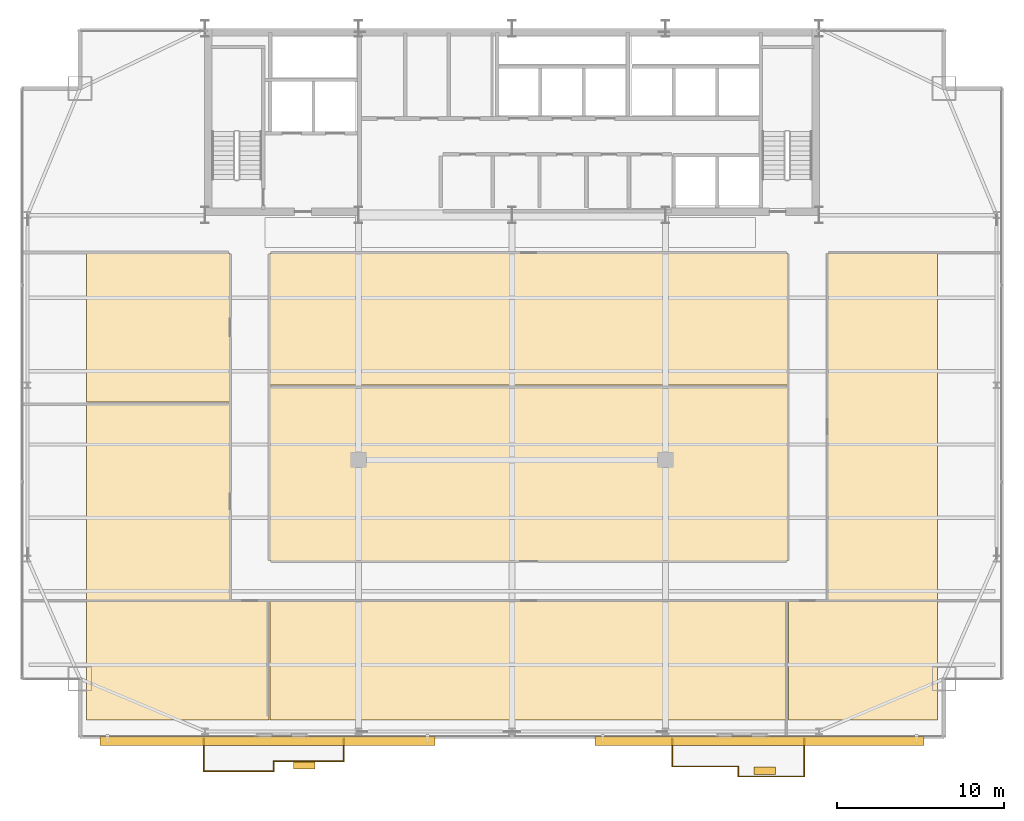
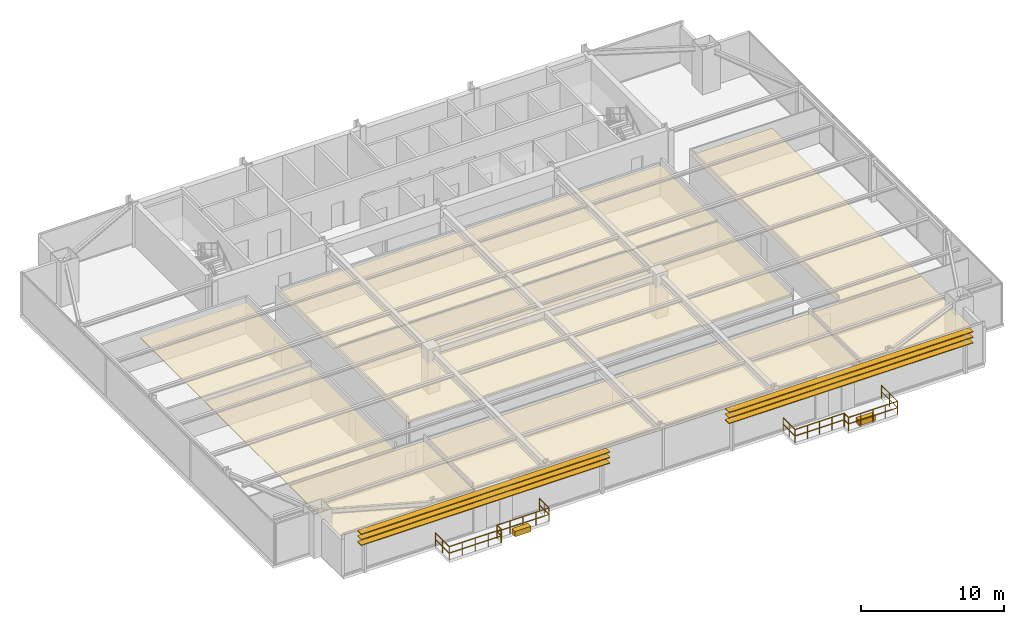
# One storey, part 35 of 36: 10 coverings, 10 railings, 6 shading devices.
"""IFC4 building model written with IfcOpenShell, lengths in metres."""

from ifc_helpers import new_model, si_unit, direction, frame, origin, origin_2d, place, context, subcontext, project, spatial, polyline, rectangle, outline, extrude, source, transform, mapped, material, layer, layer_set, type_object, type_shapes, element, save


model = new_model("IFC4")

# Units and contexts
model_context = context("Model", 3, precision=1e-05, world=origin(), true_north=direction((0.0, 1.0)))
body_context = subcontext(model_context, "Body", "Model", "MODEL_VIEW")
ifc_project = project(units=[si_unit("LENGTHUNIT", "METRE"), si_unit("AREAUNIT", "SQUARE_METRE"), si_unit("VOLUMEUNIT", "CUBIC_METRE"), si_unit("PLANEANGLEUNIT", "RADIAN"), si_unit("MASSUNIT", "GRAM", prefix="KILO")], contexts=[model_context])

# Site, building, storey
site_placement = place(None, origin())
site = spatial("IfcSite", under=ifc_project, at=site_placement, CompositionType="ELEMENT")
building_placement = place(site_placement, origin())
building = spatial("IfcBuilding", under=site, at=building_placement, Name="Varnel Quay Broadcast Tower", CompositionType="ELEMENT")
storey_placement = place(building_placement, frame((0.0, 0.0, 114.39990234375)))
storey = spatial("IfcBuildingStorey", under=building, at=storey_placement, Name="L27", CompositionType="ELEMENT", Elevation=114.39990234375)

# Coverings
ifc_material_1 = material(Name="Micro-Perforated Acoustic Ceiling Tile")
ifc_layer_1 = layer(ifc_material_1, 0.0400390625, Name="Micro-Perforated Acoustic Ceiling Tile")
ifc_layer_set_1 = layer_set([ifc_layer_1], Name="Micro-Perforated Acoustic Ceiling Tile")
covering_type_1 = type_object("IfcCoveringType", Name="Cov_AcousticCeiling", PredefinedType="CEILING", material=ifc_layer_set_1)
covering_1_placement = place(storey_placement, frame((0.0, 0.0, 2.580078125)))
element("IfcCovering", 1, at=covering_1_placement, inside=storey, type_object=covering_type_1, Name="L27 Media Tape Archive Store 1 Acoustic Ceiling", PredefinedType="CEILING", context=body_context, shape_type="SweptSolid", body=[
    extrude(outline(polyline([(8.485107421875, 5.324951171875), (19.4150390625, 5.324951171875), (19.4150390625, 12.445068359375), (8.485107421875, 12.445068359375), (8.485107421875, 5.324951171875)])), origin(), (0.0, 0.0, 1.0), 0.0400390625),
])
covering_2_placement = place(storey_placement, frame((0.0, 0.0, 2.580078125)))
element("IfcCovering", 2, at=covering_2_placement, inside=storey, type_object=covering_type_1, Name="L27 Lens & Rigging Store 2 Acoustic Ceiling", PredefinedType="CEILING", context=body_context, shape_type="SweptSolid", body=[
    extrude(outline(polyline([(19.485107421875, 5.324951171875), (50.514892578125, 5.324951171875), (50.514892578125, 12.445068359375), (19.485107421875, 12.445068359375), (19.485107421875, 5.324951171875)])), origin(), (0.0, 0.0, 1.0), 0.0400390625),
])
covering_3_placement = place(storey_placement, frame((0.0, 0.0, 2.580078125)))
element("IfcCovering", 3, at=covering_3_placement, inside=storey, type_object=covering_type_1, Name="L27 Ingest Vault Store 3 Acoustic Ceiling", PredefinedType="CEILING", context=body_context, shape_type="SweptSolid", body=[
    extrude(outline(polyline([(50.5849609375, 5.324951171875), (59.514892578125, 5.324951171875), (59.514892578125, 12.445068359375), (50.5849609375, 12.445068359375), (50.5849609375, 5.324951171875)])), origin(), (0.0, 0.0, 1.0), 0.0400390625),
])
covering_4_placement = place(storey_placement, frame((0.0, 0.0, 2.580078125)))
element("IfcCovering", 4, at=covering_4_placement, inside=storey, type_object=covering_type_1, Name="L27 Color Timing Suite 4 Acoustic Ceiling", PredefinedType="CEILING", context=body_context, shape_type="SweptSolid", body=[
    extrude(outline(polyline([(8.485107421875, 12.514892578125), (17.06494140625, 12.514892578125), (17.06494140625, 24.324951171875), (8.485107421875, 24.324951171875), (8.485107421875, 12.514892578125)])), origin(), (0.0, 0.0, 1.0), 0.0400390625),
])
covering_5_placement = place(storey_placement, frame((0.0, 0.0, 2.580078125)))
element("IfcCovering", 5, at=covering_5_placement, inside=storey, type_object=covering_type_1, Name="L27 Screening Meeting Room 5 Acoustic Ceiling", PredefinedType="CEILING", context=body_context, shape_type="SweptSolid", body=[
    extrude(outline(polyline([(8.485107421875, 24.39501953125), (17.06494140625, 24.39501953125), (17.06494140625, 33.31494140625), (8.485107421875, 33.31494140625), (8.485107421875, 24.39501953125)])), origin(), (0.0, 0.0, 1.0), 0.0400390625),
])
covering_6_placement = place(storey_placement, frame((0.0, 0.0, 2.580078125)))
element("IfcCovering", 6, at=covering_6_placement, inside=storey, type_object=covering_type_1, Name="L27 Producer Lounge 6 Acoustic Ceiling", PredefinedType="CEILING", context=body_context, shape_type="SweptSolid", body=[
    extrude(outline(polyline([(19.485107421875, 14.864990234375), (50.514892578125, 14.864990234375), (50.514892578125, 25.3349609375), (19.485107421875, 25.3349609375), (19.485107421875, 14.864990234375)])), origin(), (0.0, 0.0, 1.0), 0.0400390625),
])
covering_7_placement = place(storey_placement, frame((0.0, 0.0, 2.580078125)))
element("IfcCovering", 7, at=covering_7_placement, inside=storey, type_object=covering_type_1, Name="L27 Tea Kitchen 7 Acoustic Ceiling", PredefinedType="CEILING", context=body_context, shape_type="SweptSolid", body=[
    extrude(outline(polyline([(19.485107421875, 25.405029296875), (50.514892578125, 25.405029296875), (50.514892578125, 33.31494140625), (19.485107421875, 33.31494140625), (19.485107421875, 25.405029296875)])), origin(), (0.0, 0.0, 1.0), 0.0400390625),
])
covering_8_placement = place(storey_placement, frame((0.0, 0.0, 2.580078125)))
element("IfcCovering", 8, at=covering_8_placement, inside=storey, type_object=covering_type_1, Name="L27 Media Tape Archive Store 8 Acoustic Ceiling", PredefinedType="CEILING", context=body_context, shape_type="SweptSolid", body=[
    extrude(outline(polyline([(52.93505859375, 12.514892578125), (59.514892578125, 12.514892578125), (59.514892578125, 33.31494140625), (52.93505859375, 33.31494140625), (52.93505859375, 12.514892578125)])), origin(), (0.0, 0.0, 1.0), 0.0400390625),
])

# Railings
ifc_material_2 = material(Name="Anodised Bronze Aluminium 6063-T6", Category="aluminium")
railing_type = type_object("IfcRailingType", Name="Rail_Balustrade1150", PredefinedType="BALUSTRADE", material=ifc_material_2)
railing_1_placement = place(storey_placement, frame((15.52001953125, 2.260986328125, 0.0)))
element("IfcRailing", 9, at=railing_1_placement, inside=storey, type_object=railing_type, Name="L27 Terrace 1 Guard 1", PredefinedType="BALUSTRADE", context=body_context, shape_type="SweptSolid", body=[
    extrude(rectangle(XDim=0.048095703125, YDim=0.048095703125, at=origin_2d()), frame((0.0, 0.0, 1.1259765625), z_axis=(1.0, 0.0, 0.0), x_axis=(0.0, 1.0, 0.0)), (0.0, 0.0, 1.0), 4.199951171875),
    extrude(rectangle(XDim=0.048095703125, YDim=0.048095703125, at=origin_2d()), frame((0.0, 0.0, 0.574951171875), z_axis=(1.0, 0.0, 0.0), x_axis=(0.0, 1.0, 0.0)), (0.0, 0.0, 1.0), 4.199951171875),
    extrude(rectangle(XDim=0.0419921875, YDim=0.0419921875, at=origin_2d()), origin(), (0.0, 0.0, 1.0), 1.101806640625),
    extrude(rectangle(XDim=0.0419921875, YDim=0.0419921875, at=origin_2d()), frame((1.050048828125, 0.0, 0.0)), (0.0, 0.0, 1.0), 1.101806640625),
    extrude(rectangle(XDim=0.0419921875, YDim=0.0419921875, at=origin_2d()), frame((2.10009765625, 0.0, 0.0)), (0.0, 0.0, 1.0), 1.101806640625),
    extrude(rectangle(XDim=0.0419921875, YDim=0.0419921875, at=origin_2d()), frame((3.14990234375, 0.0, 0.0)), (0.0, 0.0, 1.0), 1.101806640625),
    extrude(rectangle(XDim=0.0419921875, YDim=0.0419921875, at=origin_2d()), frame((4.199951171875, 0.0, 0.0)), (0.0, 0.0, 1.0), 1.101806640625),
])
railing_2_placement = place(storey_placement, frame((19.719970703125, 2.260986328125, 0.0)))
element("IfcRailing", 10, at=railing_2_placement, inside=storey, type_object=railing_type, Name="L27 Terrace 1 Guard 2", PredefinedType="BALUSTRADE", context=body_context, shape_type="SweptSolid", body=[
    extrude(rectangle(XDim=0.048095703125, YDim=0.048095703125, at=origin_2d()), frame((0.0, 0.0, 1.1259765625), z_axis=(0.0, 1.0, 0.0), x_axis=(-1.0, 0.0, 0.0)), (0.0, 0.0, 1.0), 0.60009765625),
    extrude(rectangle(XDim=0.048095703125, YDim=0.048095703125, at=origin_2d()), frame((0.0, 0.0, 0.574951171875), z_axis=(0.0, 1.0, 0.0), x_axis=(-1.0, 0.0, 0.0)), (0.0, 0.0, 1.0), 0.60009765625),
    extrude(rectangle(XDim=0.0419921875, YDim=0.0419921875, at=origin_2d()), origin(), (0.0, 0.0, 1.0), 1.101806640625),
    extrude(rectangle(XDim=0.0419921875, YDim=0.0419921875, at=origin_2d()), frame((0.0, 0.60009765625, 0.0)), (0.0, 0.0, 1.0), 1.101806640625),
])
railing_3_placement = place(storey_placement, frame((19.719970703125, 2.861083984375, 0.0)))
element("IfcRailing", 11, at=railing_3_placement, inside=storey, type_object=railing_type, Name="L27 Terrace 1 Guard 3", PredefinedType="BALUSTRADE", context=body_context, shape_type="SweptSolid", body=[
    extrude(rectangle(XDim=0.048095703125, YDim=0.048095703125, at=origin_2d()), frame((0.0, 0.0, 1.1259765625), z_axis=(1.0, 0.0, 0.0), x_axis=(0.0, 1.0, 0.0)), (0.0, 0.0, 1.0), 4.199951171875),
    extrude(rectangle(XDim=0.048095703125, YDim=0.048095703125, at=origin_2d()), frame((0.0, 0.0, 0.574951171875), z_axis=(1.0, 0.0, 0.0), x_axis=(0.0, 1.0, 0.0)), (0.0, 0.0, 1.0), 4.199951171875),
    extrude(rectangle(XDim=0.0419921875, YDim=0.0419921875, at=origin_2d()), origin(), (0.0, 0.0, 1.0), 1.101806640625),
    extrude(rectangle(XDim=0.0419921875, YDim=0.0419921875, at=origin_2d()), frame((1.050048828125, 0.0, 0.0)), (0.0, 0.0, 1.0), 1.101806640625),
    extrude(rectangle(XDim=0.0419921875, YDim=0.0419921875, at=origin_2d()), frame((2.10009765625, 0.0, 0.0)), (0.0, 0.0, 1.0), 1.101806640625),
    extrude(rectangle(XDim=0.0419921875, YDim=0.0419921875, at=origin_2d()), frame((3.14990234375, 0.0, 0.0)), (0.0, 0.0, 1.0), 1.101806640625),
    extrude(rectangle(XDim=0.0419921875, YDim=0.0419921875, at=origin_2d()), frame((4.199951171875, 0.0, 0.0)), (0.0, 0.0, 1.0), 1.101806640625),
])
railing_4_placement = place(storey_placement, frame((23.919921875, 2.861083984375, 0.0)))
element("IfcRailing", 12, at=railing_4_placement, inside=storey, type_object=railing_type, Name="L27 Terrace 1 Guard 4", PredefinedType="BALUSTRADE", context=body_context, shape_type="SweptSolid", body=[
    extrude(rectangle(XDim=0.048095703125, YDim=0.048095703125, at=origin_2d()), frame((0.0, 0.0, 1.1259765625), z_axis=(0.0, 1.0, 0.0), x_axis=(-1.0, 0.0, 0.0)), (0.0, 0.0, 1.0), 1.3388671875),
    extrude(rectangle(XDim=0.048095703125, YDim=0.048095703125, at=origin_2d()), frame((0.0, 0.0, 0.574951171875), z_axis=(0.0, 1.0, 0.0), x_axis=(-1.0, 0.0, 0.0)), (0.0, 0.0, 1.0), 1.3388671875),
    extrude(rectangle(XDim=0.0419921875, YDim=0.0419921875, at=origin_2d()), origin(), (0.0, 0.0, 1.0), 1.101806640625),
    extrude(rectangle(XDim=0.0419921875, YDim=0.0419921875, at=origin_2d()), frame((0.0, 0.66943359375, 0.0)), (0.0, 0.0, 1.0), 1.101806640625),
    extrude(rectangle(XDim=0.0419921875, YDim=0.0419921875, at=origin_2d()), frame((0.0, 1.3388671875, 0.0)), (0.0, 0.0, 1.0), 1.101806640625),
])
railing_5_placement = place(storey_placement, frame((15.52001953125, 4.199951171875, 0.0)))
element("IfcRailing", 13, at=railing_5_placement, inside=storey, type_object=railing_type, Name="L27 Terrace 1 Guard 6", PredefinedType="BALUSTRADE", context=body_context, shape_type="SweptSolid", body=[
    extrude(rectangle(XDim=0.048095703125, YDim=0.048095703125, at=origin_2d()), frame((0.0, 0.0, 1.1259765625), z_axis=(0.0, -1.0, 0.0), x_axis=(1.0, 0.0, 0.0)), (0.0, 0.0, 1.0), 1.93896484375),
    extrude(rectangle(XDim=0.048095703125, YDim=0.048095703125, at=origin_2d()), frame((0.0, 0.0, 0.574951171875), z_axis=(0.0, -1.0, 0.0), x_axis=(1.0, 0.0, 0.0)), (0.0, 0.0, 1.0), 1.93896484375),
    extrude(rectangle(XDim=0.0419921875, YDim=0.0419921875, at=origin_2d()), origin(), (0.0, 0.0, 1.0), 1.101806640625),
    extrude(rectangle(XDim=0.0419921875, YDim=0.0419921875, at=origin_2d()), frame((0.0, -0.969482421875, 0.0)), (0.0, 0.0, 1.0), 1.101806640625),
    extrude(rectangle(XDim=0.0419921875, YDim=0.0419921875, at=origin_2d()), frame((0.0, -1.93896484375, 0.0)), (0.0, 0.0, 1.0), 1.101806640625),
])
railing_6_placement = place(storey_placement, frame((43.60009765625, 2.5390625, 0.0)))
element("IfcRailing", 14, at=railing_6_placement, inside=storey, type_object=railing_type, Name="L27 Terrace 2 Guard 1", PredefinedType="BALUSTRADE", context=body_context, shape_type="SweptSolid", body=[
    extrude(rectangle(XDim=0.048095703125, YDim=0.048095703125, at=origin_2d()), frame((0.0, 0.0, 1.1259765625), z_axis=(1.0, 0.0, 0.0), x_axis=(0.0, 1.0, 0.0)), (0.0, 0.0, 1.0), 3.9599609375),
    extrude(rectangle(XDim=0.048095703125, YDim=0.048095703125, at=origin_2d()), frame((0.0, 0.0, 0.574951171875), z_axis=(1.0, 0.0, 0.0), x_axis=(0.0, 1.0, 0.0)), (0.0, 0.0, 1.0), 3.9599609375),
    extrude(rectangle(XDim=0.0419921875, YDim=0.0419921875, at=origin_2d()), origin(), (0.0, 0.0, 1.0), 1.101806640625),
    extrude(rectangle(XDim=0.0419921875, YDim=0.0419921875, at=origin_2d()), frame((0.989990234375, 0.0, 0.0)), (0.0, 0.0, 1.0), 1.101806640625),
    extrude(rectangle(XDim=0.0419921875, YDim=0.0419921875, at=origin_2d()), frame((1.97998046875, 0.0, 0.0)), (0.0, 0.0, 1.0), 1.101806640625),
    extrude(rectangle(XDim=0.0419921875, YDim=0.0419921875, at=origin_2d()), frame((2.969970703125, 0.0, 0.0)), (0.0, 0.0, 1.0), 1.101806640625),
    extrude(rectangle(XDim=0.0419921875, YDim=0.0419921875, at=origin_2d()), frame((3.9599609375, 0.0, 0.0)), (0.0, 0.0, 1.0), 1.101806640625),
])
railing_7_placement = place(storey_placement, frame((47.56005859375, 2.5390625, 0.0)))
element("IfcRailing", 15, at=railing_7_placement, inside=storey, type_object=railing_type, Name="L27 Terrace 2 Guard 2", PredefinedType="BALUSTRADE", context=body_context, shape_type="SweptSolid", body=[
    extrude(rectangle(XDim=0.048095703125, YDim=0.048095703125, at=origin_2d()), frame((0.0, 0.0, 1.1259765625), z_axis=(0.0, -1.0, 0.0), x_axis=(1.0, 0.0, 0.0)), (0.0, 0.0, 1.0), 0.60009765625),
    extrude(rectangle(XDim=0.048095703125, YDim=0.048095703125, at=origin_2d()), frame((0.0, 0.0, 0.574951171875), z_axis=(0.0, -1.0, 0.0), x_axis=(1.0, 0.0, 0.0)), (0.0, 0.0, 1.0), 0.60009765625),
    extrude(rectangle(XDim=0.0419921875, YDim=0.0419921875, at=origin_2d()), origin(), (0.0, 0.0, 1.0), 1.101806640625),
    extrude(rectangle(XDim=0.0419921875, YDim=0.0419921875, at=origin_2d()), frame((0.0, -0.60009765625, 0.0)), (0.0, 0.0, 1.0), 1.101806640625),
])
railing_8_placement = place(storey_placement, frame((47.56005859375, 1.93896484375, 0.0)))
element("IfcRailing", 16, at=railing_8_placement, inside=storey, type_object=railing_type, Name="L27 Terrace 2 Guard 3", PredefinedType="BALUSTRADE", context=body_context, shape_type="SweptSolid", body=[
    extrude(rectangle(XDim=0.048095703125, YDim=0.048095703125, at=origin_2d()), frame((0.0, 0.0, 1.1259765625), z_axis=(1.0, 0.0, 0.0), x_axis=(0.0, 1.0, 0.0)), (0.0, 0.0, 1.0), 3.9599609375),
    extrude(rectangle(XDim=0.048095703125, YDim=0.048095703125, at=origin_2d()), frame((0.0, 0.0, 0.574951171875), z_axis=(1.0, 0.0, 0.0), x_axis=(0.0, 1.0, 0.0)), (0.0, 0.0, 1.0), 3.9599609375),
    extrude(rectangle(XDim=0.0419921875, YDim=0.0419921875, at=origin_2d()), origin(), (0.0, 0.0, 1.0), 1.101806640625),
    extrude(rectangle(XDim=0.0419921875, YDim=0.0419921875, at=origin_2d()), frame((0.989990234375, 0.0, 0.0)), (0.0, 0.0, 1.0), 1.101806640625),
    extrude(rectangle(XDim=0.0419921875, YDim=0.0419921875, at=origin_2d()), frame((1.97998046875, 0.0, 0.0)), (0.0, 0.0, 1.0), 1.101806640625),
    extrude(rectangle(XDim=0.0419921875, YDim=0.0419921875, at=origin_2d()), frame((2.969970703125, 0.0, 0.0)), (0.0, 0.0, 1.0), 1.101806640625),
    extrude(rectangle(XDim=0.0419921875, YDim=0.0419921875, at=origin_2d()), frame((3.9599609375, 0.0, 0.0)), (0.0, 0.0, 1.0), 1.101806640625),
])
railing_9_placement = place(storey_placement, frame((51.52001953125, 1.93896484375, 0.0)))
element("IfcRailing", 17, at=railing_9_placement, inside=storey, type_object=railing_type, Name="L27 Terrace 2 Guard 4", PredefinedType="BALUSTRADE", context=body_context, shape_type="SweptSolid", body=[
    extrude(rectangle(XDim=0.048095703125, YDim=0.048095703125, at=origin_2d()), frame((0.0, 0.0, 1.1259765625), z_axis=(0.0, 1.0, 0.0), x_axis=(-1.0, 0.0, 0.0)), (0.0, 0.0, 1.0), 2.260986328125),
    extrude(rectangle(XDim=0.048095703125, YDim=0.048095703125, at=origin_2d()), frame((0.0, 0.0, 0.574951171875), z_axis=(0.0, 1.0, 0.0), x_axis=(-1.0, 0.0, 0.0)), (0.0, 0.0, 1.0), 2.260986328125),
    extrude(rectangle(XDim=0.0419921875, YDim=0.0419921875, at=origin_2d()), origin(), (0.0, 0.0, 1.0), 1.101806640625),
    extrude(rectangle(XDim=0.0419921875, YDim=0.0419921875, at=origin_2d()), frame((0.0, 1.13037109375, 0.0)), (0.0, 0.0, 1.0), 1.101806640625),
    extrude(rectangle(XDim=0.0419921875, YDim=0.0419921875, at=origin_2d()), frame((0.0, 2.260986328125, 0.0)), (0.0, 0.0, 1.0), 1.101806640625),
])
railing_10_placement = place(storey_placement, frame((43.60009765625, 4.199951171875, 0.0)))
element("IfcRailing", 18, at=railing_10_placement, inside=storey, type_object=railing_type, Name="L27 Terrace 2 Guard 6", PredefinedType="BALUSTRADE", context=body_context, shape_type="SweptSolid", body=[
    extrude(rectangle(XDim=0.048095703125, YDim=0.048095703125, at=origin_2d()), frame((0.0, 0.0, 1.1259765625), z_axis=(0.0, -1.0, 0.0), x_axis=(1.0, 0.0, 0.0)), (0.0, 0.0, 1.0), 1.660888671875),
    extrude(rectangle(XDim=0.048095703125, YDim=0.048095703125, at=origin_2d()), frame((0.0, 0.0, 0.574951171875), z_axis=(0.0, -1.0, 0.0), x_axis=(1.0, 0.0, 0.0)), (0.0, 0.0, 1.0), 1.660888671875),
    extrude(rectangle(XDim=0.0419921875, YDim=0.0419921875, at=origin_2d()), origin(), (0.0, 0.0, 1.0), 1.101806640625),
    extrude(rectangle(XDim=0.0419921875, YDim=0.0419921875, at=origin_2d()), frame((0.0, -0.83056640625, 0.0)), (0.0, 0.0, 1.0), 1.101806640625),
    extrude(rectangle(XDim=0.0419921875, YDim=0.0419921875, at=origin_2d()), frame((0.0, -1.660888671875, 0.0)), (0.0, 0.0, 1.0), 1.101806640625),
])

# Coverings
ifc_material_3 = material(Name="Bronze-Terracotta Extruded Ceramic Blade", Category="masonry")
ifc_layer_2 = layer(ifc_material_3, 0.449951171875, Name="Bronze-Terracotta Extruded Ceramic Blade")
ifc_layer_set_2 = layer_set([ifc_layer_2], Name="Bronze-Terracotta Extruded Ceramic Blade")
covering_type_2 = type_object("IfcCoveringType", Name="Cov_BronzePlanter", PredefinedType="CLADDING", material=ifc_layer_set_2)
shared_shape_1 = source(origin(), body_context, "Body", "SweptSolid", [
    extrude(rectangle(XDim=1.300048828125, YDim=0.449951171875, at=origin_2d()), origin(), (0.0, 0.0, 1.0), 0.449951171875),
])
type_shapes(covering_type_2, [shared_shape_1])
for number, where, z_axis, x_axis, name in (
    (19, (21.550048828125, 2.611083984375, 0.0), (0.0, 0.0, 1.0), (1.0, 0.0, 0.0), "L27 Terrace 1 Bronze Planter"),
    (20, (49.14990234375, 2.2890625, 0.0), (0.0, 0.0, 1.0), (1.0, 0.0, 0.0), "L27 Terrace 2 Bronze Planter"),
):
    element("IfcCovering", number, at=place(storey_placement, frame(where, z_axis=z_axis, x_axis=x_axis)), inside=storey, type_object=covering_type_2, Name=name, PredefinedType="CLADDING", context=body_context, shape_type="MappedRepresentation", body=[
        mapped(shared_shape_1, transform((0.0, 0.0, 0.0), x_axis=(1.0, 0.0, 0.0), y_axis=(0.0, 1.0, 0.0), z_axis=(0.0, 0.0, 1.0), scale=1.0)),
    ])

# Shading devices
ifc_layer_3 = layer(ifc_material_3, 0.06494140625, Name="Bronze-Terracotta Extruded Ceramic Blade")
ifc_layer_set_3 = layer_set([ifc_layer_3], Name="Bronze-Terracotta Extruded Ceramic Blade")
shading_device_type = type_object("IfcShadingDeviceType", Name="Shade_LouvreBlade550", PredefinedType="JALOUSIE", material=ifc_layer_set_3)
shared_shape_2 = source(origin(), body_context, "Body", "SweptSolid", [
    extrude(rectangle(XDim=20.0869140625, YDim=0.550048828125, at=origin_2d()), origin(), (0.0, 0.0, 1.0), 0.06494140625),
])
for number, where, z_axis, x_axis, name in (
    (21, (19.343017578125, 4.06005859375, 2.447509765625), (0.0, 0.0, 1.0), (1.0, 0.0, 0.0), "L27 Lobe 1 Horizontal Louvre Blade 1"),
    (22, (19.343017578125, 4.06005859375, 2.927734375), (0.0, 0.0, 1.0), (1.0, 0.0, 0.0), "L27 Lobe 1 Horizontal Louvre Blade 2"),
    (23, (19.343017578125, 4.06005859375, 3.3876953125), (0.0, 0.0, 1.0), (1.0, 0.0, 0.0), "L27 Lobe 1 Horizontal Louvre Blade 3"),
):
    element("IfcShadingDevice", number, at=place(storey_placement, frame(where, z_axis=z_axis, x_axis=x_axis)), inside=storey, type_object=shading_device_type, Name=name, PredefinedType="JALOUSIE", context=body_context, shape_type="MappedRepresentation", body=[
        mapped(shared_shape_2, transform((0.0, 0.0, 0.0), x_axis=(1.0, 0.0, 0.0), y_axis=(0.0, 1.0, 0.0), z_axis=(0.0, 0.0, 1.0), scale=1.0)),
    ])
shared_shape_3 = source(origin(), body_context, "Body", "SweptSolid", [
    extrude(rectangle(XDim=19.712890625, YDim=0.550048828125, at=origin_2d()), origin(), (0.0, 0.0, 1.0), 0.06494140625),
])
type_shapes(shading_device_type, [shared_shape_2, shared_shape_3])
for number, where, z_axis, x_axis, name in (
    (24, (48.843994140625, 4.06005859375, 2.447509765625), (0.0, 0.0, 1.0), (1.0, 0.0, 0.0), "L27 Lobe 2 Horizontal Louvre Blade 1"),
    (25, (48.843994140625, 4.06005859375, 2.927734375), (0.0, 0.0, 1.0), (1.0, 0.0, 0.0), "L27 Lobe 2 Horizontal Louvre Blade 2"),
    (26, (48.843994140625, 4.06005859375, 3.3876953125), (0.0, 0.0, 1.0), (1.0, 0.0, 0.0), "L27 Lobe 2 Horizontal Louvre Blade 3"),
):
    element("IfcShadingDevice", number, at=place(storey_placement, frame(where, z_axis=z_axis, x_axis=x_axis)), inside=storey, type_object=shading_device_type, Name=name, PredefinedType="JALOUSIE", context=body_context, shape_type="MappedRepresentation", body=[
        mapped(shared_shape_3, transform((0.0, 0.0, 0.0), x_axis=(1.0, 0.0, 0.0), y_axis=(0.0, 1.0, 0.0), z_axis=(0.0, 0.0, 1.0), scale=1.0)),
    ])

save(model, "model.ifc")
